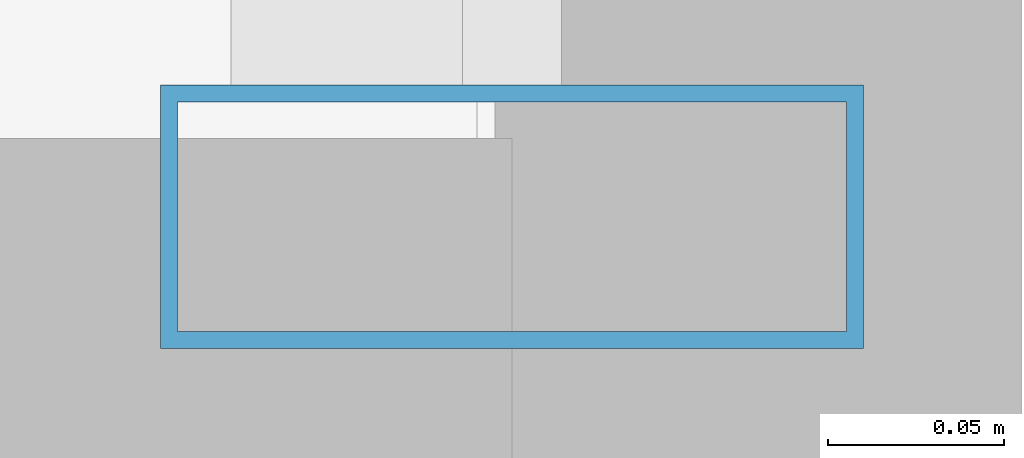
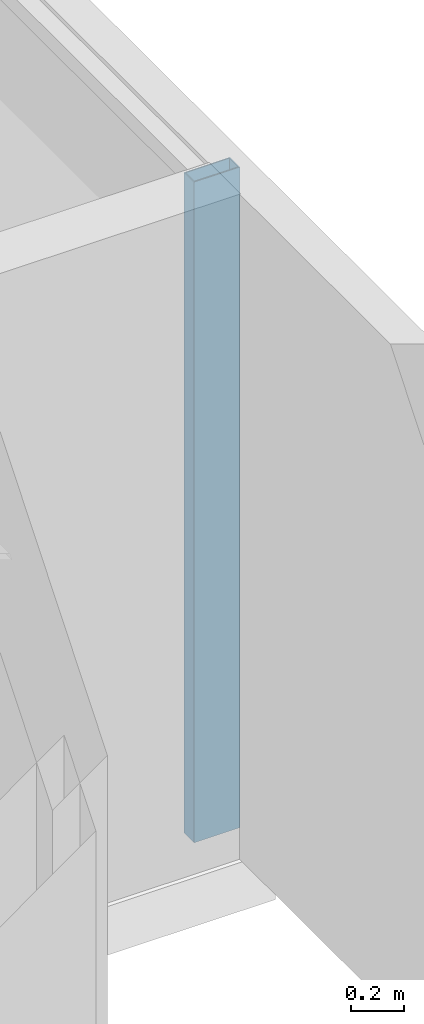
# One storey, part 11 of 32: 1 member, 1 element without a shape of its own.
"""IFC4 building model written with IfcOpenShell, lengths in metres."""

import ifcopenshell
import ifcopenshell.guid

model = None  # the IFC model being written
_history = None  # IfcOwnerHistory: only IFC2X3 demands one
_inside = {}  # id of a spatial element -> (the spatial element, [elements in it])
_under = {}  # id of a project, library or spatial element -> (it, [spatial elements below it])
_declared = {}  # id of a project -> (the project, [libraries it declares])
_typed = {}  # id of a type object -> (the type object, [elements of that type])
_made_of = {}  # id of a material, layer set ... -> (it, [elements and type objects made of it])


def new_model(schema):
    """Start an empty IFC model of exactly this schema.

    Asked for "IFC4X3", IfcOpenShell would pick the latest addendum, in which some entities
    have other attributes; the version numbers below select the first issue.
    IFC2X3 requires an IfcOwnerHistory on every rooted entity: one is made here for all.
    """
    global model, _history
    if schema == "IFC4X3":
        model = ifcopenshell.file(schema_version=(4, 3, 0, 0))
    else:
        model = ifcopenshell.file(schema=schema)
    _inside.clear()
    _under.clear()
    _declared.clear()
    _typed.clear()
    _made_of.clear()
    _history = None
    if model.schema == "IFC2X3":
        org = make("IfcOrganization", Name="unknown")
        user = make(
            "IfcPersonAndOrganization",
            ThePerson=make("IfcPerson", FamilyName="unknown"),
            TheOrganization=org,
        )
        app = make(
            "IfcApplication",
            ApplicationDeveloper=org,
            Version="unknown",
            ApplicationFullName="unknown",
            ApplicationIdentifier="unknown",
        )
        _history = make(
            "IfcOwnerHistory",
            OwningUser=user,
            OwningApplication=app,
            ChangeAction="ADDED",
            CreationDate=0,
        )
    return model


def make(cls, **values):
    """One entity of the class cls with the attributes given. An attribute that is None is left unset."""
    return model.create_entity(
        cls, **{name: value for name, value in values.items() if value is not None}
    )


def rooted(cls, **values):
    """An entity with a GlobalId (a new one), such as an element, a storey or a relation."""
    return make(cls, GlobalId=ifcopenshell.guid.new(), OwnerHistory=_history, **values)


def si_unit(unit_type, name, prefix=None):
    """IfcSIUnit, for example si_unit("LENGTHUNIT", "METRE", prefix="MILLI")."""
    return make("IfcSIUnit", UnitType=unit_type, Prefix=prefix, Name=name)


def assignment(units):
    """IfcUnitAssignment: the units of a project."""
    return None if units is None else make("IfcUnitAssignment", Units=units)


def point(xyz):
    """IfcCartesianPoint."""
    return None if xyz is None else make("IfcCartesianPoint", Coordinates=xyz)


def direction(xyz):
    """IfcDirection."""
    return None if xyz is None else make("IfcDirection", DirectionRatios=xyz)


def frame(location, z_axis=None, x_axis=None):
    """IfcAxis2Placement3D, a coordinate frame: its origin and axes. An axis left out is left unset."""
    return make(
        "IfcAxis2Placement3D",
        Location=point(location),
        Axis=direction(z_axis),
        RefDirection=direction(x_axis),
    )


def frame_2d(location, x_axis=None):
    """IfcAxis2Placement2D, a coordinate frame in the plane: its origin and x axis."""
    return make(
        "IfcAxis2Placement2D", Location=point(location), RefDirection=direction(x_axis)
    )


def origin():
    """The frame at (0, 0, 0) with its axes left unset."""
    return frame((0.0, 0.0, 0.0))


def origin_2d():
    """The frame at (0, 0) in the plane with its x axis left unset."""
    return frame_2d((0.0, 0.0))


def place(relative_to, where):
    """IfcLocalPlacement: puts the frame where relative to a parent placement (None: the world)."""
    return make(
        "IfcLocalPlacement", PlacementRelTo=relative_to, RelativePlacement=where
    )


def context(
    kind, dimensions, precision=None, world=None, true_north=None, identifier=None
):
    """IfcGeometricRepresentationContext, for example the 3D "Model" context."""
    return make(
        "IfcGeometricRepresentationContext",
        ContextIdentifier=identifier,
        ContextType=kind,
        CoordinateSpaceDimension=dimensions,
        Precision=precision,
        WorldCoordinateSystem=world,
        TrueNorth=true_north,
    )


def subcontext(parent, identifier, kind, view, scale=None):
    """IfcGeometricRepresentationSubContext, for example "Body" below "Model"."""
    return make(
        "IfcGeometricRepresentationSubContext",
        ContextIdentifier=identifier,
        ContextType=kind,
        ParentContext=parent,
        TargetScale=scale,
        TargetView=view,
    )


def project(units=None, contexts=None):
    """IfcProject with its units and contexts."""
    return rooted(
        "IfcProject",
        Name="project",
        RepresentationContexts=contexts,
        UnitsInContext=assignment(units),
    )


def spatial(cls, under=None, at=None, **own):
    """A site, building, storey or space (cls), placed at a placement, below another one or the project."""
    s = rooted(cls, ObjectPlacement=at, **own)
    if under is not None:
        _under.setdefault(under.id(), (under, []))[1].append(s)
    return s


def profile(cls, at=None, kind="AREA", **sizes):
    """A parametric profile (cls). Its sizes go by their IFC names, for example OverallWidth=200.0."""
    return make(cls, ProfileType=kind, Position=at, **sizes)


def hollow_rectangle(**sizes):
    """IfcRectangleHollowProfileDef."""
    return profile("IfcRectangleHollowProfileDef", **sizes)


def extrude(swept, where, along, depth):
    """IfcExtrudedAreaSolid: the profile swept, set in the frame where, extruded along a direction by depth."""
    return make(
        "IfcExtrudedAreaSolid",
        SweptArea=swept,
        Position=where,
        ExtrudedDirection=direction(along),
        Depth=depth,
    )


def shape(context_of_items, identifier, shape_type, items):
    """IfcShapeRepresentation: the items that make up one representation, for example the "Body"."""
    return make(
        "IfcShapeRepresentation",
        ContextOfItems=context_of_items,
        RepresentationIdentifier=identifier,
        RepresentationType=shape_type,
        Items=items,
    )


def source(mapping_origin, context_of_items, identifier, shape_type, items):
    """IfcRepresentationMap: a shape defined once, which mapped items show again and again."""
    return make(
        "IfcRepresentationMap",
        MappingOrigin=mapping_origin,
        MappedRepresentation=shape(context_of_items, identifier, shape_type, items),
    )


def transform(
    local_origin,
    x_axis=None,
    y_axis=None,
    z_axis=None,
    scale=None,
    scale2=None,
    scale3=None,
    uniform=True,
):
    """IfcCartesianTransformationOperator3D, or its non-uniform kind. x_axis, y_axis, z_axis: its Axis1, 2, 3."""
    if uniform:
        return make(
            "IfcCartesianTransformationOperator3D",
            Axis1=direction(x_axis),
            Axis2=direction(y_axis),
            LocalOrigin=point(local_origin),
            Scale=scale,
            Axis3=direction(z_axis),
        )
    return make(
        "IfcCartesianTransformationOperator3DnonUniform",
        Axis1=direction(x_axis),
        Axis2=direction(y_axis),
        LocalOrigin=point(local_origin),
        Scale=scale,
        Axis3=direction(z_axis),
        Scale2=scale2,
        Scale3=scale3,
    )


def mapped(mapping_source, mapping_target):
    """IfcMappedItem: shows the shape of a source again, moved by a transform."""
    return make(
        "IfcMappedItem", MappingSource=mapping_source, MappingTarget=mapping_target
    )


def material(Name=None, Category=None):
    """IfcMaterial."""
    return make("IfcMaterial", Name=Name, Category=Category)


def layer(
    of_material, thickness, ventilated=None, Name=None, Category=None, Priority=None
):
    """IfcMaterialLayer: one layer of a wall or slab, of a material (None: an air gap)."""
    return make(
        "IfcMaterialLayer",
        Material=of_material,
        LayerThickness=thickness,
        IsVentilated=ventilated,
        Name=Name,
        Category=Category,
        Priority=Priority,
    )


def layer_set(layers, Name=None):
    """IfcMaterialLayerSet."""
    return make("IfcMaterialLayerSet", MaterialLayers=layers, LayerSetName=Name)


def material_profile(
    of_material, cross_section, Name=None, Category=None, Priority=None
):
    """IfcMaterialProfile: a cross section and its material."""
    return make(
        "IfcMaterialProfile",
        Name=Name,
        Material=of_material,
        Profile=cross_section,
        Priority=Priority,
        Category=Category,
    )


def profile_set(profiles, Name=None, composite=None):
    """IfcMaterialProfileSet."""
    return make(
        "IfcMaterialProfileSet",
        Name=Name,
        MaterialProfiles=profiles,
        CompositeProfile=composite,
    )


def made_of(thing, what):
    """Note that an element or type object is made of a material, layer set ...; save() writes the relation."""
    if what is not None:
        _made_of.setdefault(what.id(), (what, []))[1].append(thing)
    return thing


def type_object(cls, material=None, **own):
    """A type object (cls), such as IfcWallType, which elements share."""
    return made_of(rooted(cls, **own), material)


def element(
    cls,
    number,
    at=None,
    inside=None,
    cuts=None,
    type_object=None,
    material=None,
    context=None,
    identifier="Body",
    shape_type=None,
    held_by="IfcProductDefinitionShape",
    body=None,
    shapes=None,
    **own,
):
    """One element of the class cls, such as IfcWall. Its Tag is "e" and its number.

    at: its placement. inside: the storey or other place that contains it. cuts: it is an
    opening in that element (IfcRelVoidsElement). A single representation is given by context,
    identifier, shape_type and body (its items); several are given by shapes. held_by: the class
    of the entity that holds the representations. save() writes the other relations.
    """
    e = rooted(cls, Tag="e%d" % number, ObjectPlacement=at, **own)
    if body is not None:
        shapes = [shape(context, identifier, shape_type, body)]
    if shapes is not None:
        e.Representation = make(held_by, Representations=shapes)
    if inside is not None:
        _inside.setdefault(inside.id(), (inside, []))[1].append(e)
    if cuts is not None:
        rooted(
            "IfcRelVoidsElement", RelatingBuildingElement=cuts, RelatedOpeningElement=e
        )
    if type_object is not None:
        _typed.setdefault(type_object.id(), (type_object, []))[1].append(e)
    return made_of(e, material)


def aggregate(whole, parts):
    """IfcRelAggregates: a whole, such as a stair, and the parts it consists of."""
    return rooted("IfcRelAggregates", RelatingObject=whole, RelatedObjects=parts)


def save(model, path):
    """Write the relations noted so far, then the file.

    IfcRelAggregates (storeys below a building ...), IfcRelContainedInSpatialStructure (elements
    in a storey), IfcRelDefinesByType, IfcRelAssociatesMaterial and IfcRelDeclares: one each for
    every whole, place, type object, material and project.
    """
    for whole, parts in _under.values():
        aggregate(whole, parts)
    for where, things in _inside.values():
        rooted(
            "IfcRelContainedInSpatialStructure",
            RelatedElements=things,
            RelatingStructure=where,
        )
    for kind, things in _typed.values():
        rooted("IfcRelDefinesByType", RelatedObjects=things, RelatingType=kind)
    for what, things in _made_of.values():
        rooted("IfcRelAssociatesMaterial", RelatedObjects=things, RelatingMaterial=what)
    for by, libraries in _declared.values():
        rooted("IfcRelDeclares", RelatingContext=by, RelatedDefinitions=libraries)
    model.write(path)


model = new_model("IFC4")

# Units and contexts
model_context = context("Model", 3, precision=1e-05, world=origin(), true_north=direction((0.0, 1.0)))
body_context = subcontext(model_context, "Body", "Model", "MODEL_VIEW")
ifc_project = project(units=[si_unit("LENGTHUNIT", "METRE"), si_unit("AREAUNIT", "SQUARE_METRE"), si_unit("VOLUMEUNIT", "CUBIC_METRE"), si_unit("PLANEANGLEUNIT", "RADIAN"), si_unit("MASSUNIT", "GRAM", prefix="KILO")], contexts=[model_context])

# Site, building, storey
site_placement = place(None, origin())
site = spatial("IfcSite", under=ifc_project, at=site_placement, CompositionType="ELEMENT")
building_placement = place(site_placement, origin())
building = spatial("IfcBuilding", under=site, at=building_placement, Name="Zarnakvel Exchange Tower", CompositionType="ELEMENT")
storey_placement = place(building_placement, frame((0.0, 0.0, 73.60009765625)))
storey = spatial("IfcBuildingStorey", under=building, at=storey_placement, Name="L20", CompositionType="ELEMENT", Elevation=73.60009765625)

# Curtain wall, member
ifc_material = material(Name="Architectural Bronze Anodised Aluminium", Category="aluminium")
ifc_layer = layer(ifc_material, 0.199951171875)
ifc_layer_set = layer_set([ifc_layer], Name="Architectural Bronze Anodised Aluminium")
curtain_wall_type = type_object("IfcCurtainWallType", Name="CW-04", PredefinedType="NOTDEFINED", material=ifc_layer_set)
curtain_wall_placement = place(storey_placement, origin())
curtain_wall = element("IfcCurtainWall", 1, at=curtain_wall_placement, inside=storey, type_object=curtain_wall_type, Name="L20 Curtain Wall CW-L20-E1 (CW-04)", PredefinedType="NOTDEFINED")
ifc_material_profile = material_profile(ifc_material, hollow_rectangle(XDim=0.199951171875, YDim=0.074951171875, WallThickness=0.0048828125, at=origin_2d()))
ifc_profile_set = profile_set([ifc_material_profile], Name="Architectural Bronze Anodised Aluminium")
member_type = type_object("IfcMemberType", Name="CWM-04", PredefinedType="MULLION", material=ifc_profile_set)
shared_shape = source(origin(), body_context, "Body", "SweptSolid", [
    extrude(hollow_rectangle(XDim=0.199951171875, YDim=0.074951171875, WallThickness=0.0048828125, at=origin_2d()), origin(), (0.0, 0.0, 1.0), 3.054931640625),
])
member_placement = place(storey_placement, frame((32.4599609375, -14.96240234375, 0.0), z_axis=(0.0, 0.0, 1.0), x_axis=(-1.0, 0.0, 0.0)))
member = element("IfcMember", 2, at=member_placement, type_object=member_type, Name="CW-04 mullion 1", PredefinedType="MULLION", context=body_context, shape_type="MappedRepresentation", body=[
    mapped(shared_shape, transform((0.0, 0.0, 0.0), x_axis=(1.0, 0.0, 0.0), y_axis=(0.0, 1.0, 0.0), z_axis=(0.0, 0.0, 1.0), scale=1.0)),
])
aggregate(curtain_wall, [member])

save(model, "model.ifc")
